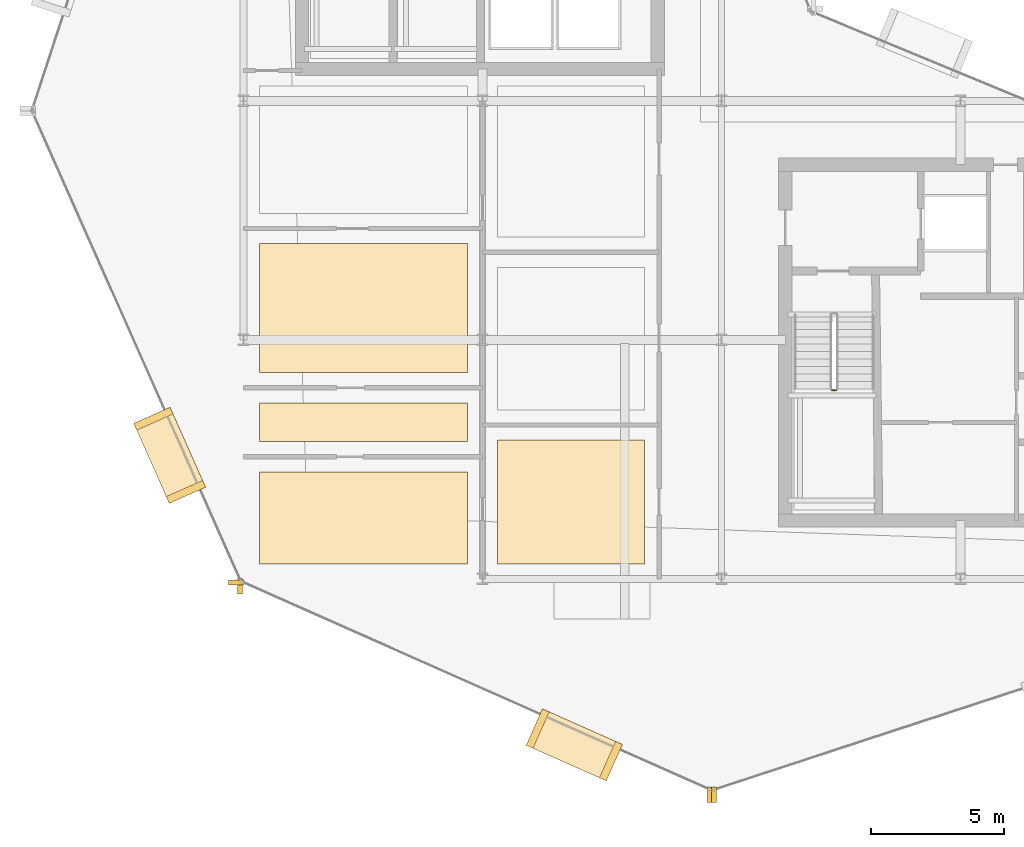
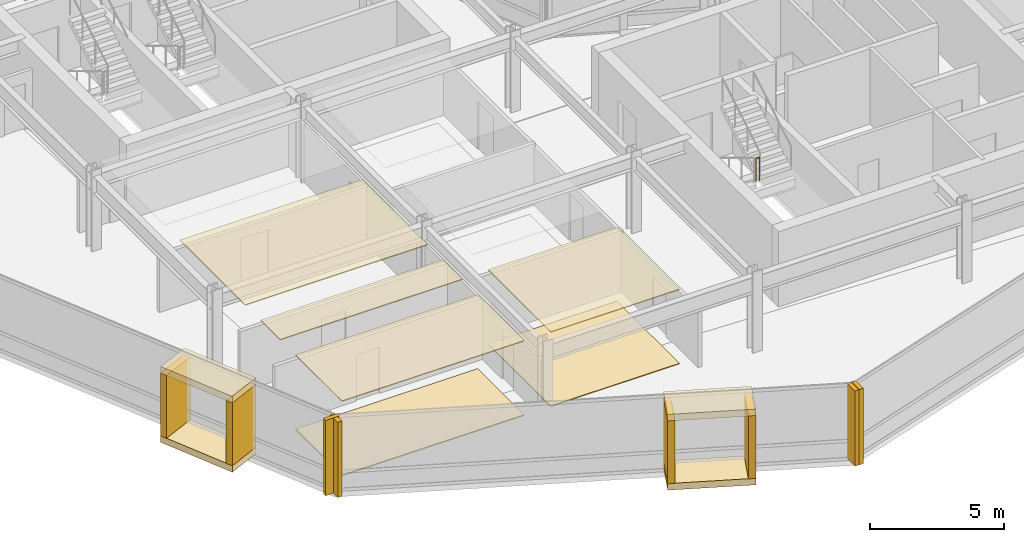
# One storey, part 25 of 29: 18 coverings, 1 railing.
"""IFC4 building model written with IfcOpenShell, lengths in metres."""

from ifc_helpers import new_model, si_unit, direction, frame, origin, origin_2d, place, context, subcontext, project, spatial, polyline, rectangle, circle, outline, extrude, material, layer, layer_set, type_object, element, save


model = new_model("IFC4")

# Units and contexts
model_context = context("Model", 3, precision=1e-05, world=origin(), true_north=direction((0.0, 1.0)))
body_context = subcontext(model_context, "Body", "Model", "MODEL_VIEW")
ifc_project = project(units=[si_unit("LENGTHUNIT", "METRE"), si_unit("AREAUNIT", "SQUARE_METRE"), si_unit("VOLUMEUNIT", "CUBIC_METRE"), si_unit("PLANEANGLEUNIT", "RADIAN"), si_unit("MASSUNIT", "GRAM", prefix="KILO")], contexts=[model_context])

# Site, building, storey
site_placement = place(None, origin())
site = spatial("IfcSite", under=ifc_project, at=site_placement, CompositionType="ELEMENT")
building_placement = place(site_placement, origin())
building = spatial("IfcBuilding", under=site, at=building_placement, Name="Solvaryn Broadcast Tower", CompositionType="ELEMENT")
storey_placement = place(building_placement, frame((0.0, 0.0, 161.800048828125)))
storey = spatial("IfcBuildingStorey", under=building, at=storey_placement, Name="L40", CompositionType="ELEMENT", Elevation=161.800048828125)

# Coverings
ifc_material_1 = material(Name="Micro-Perforated Acoustic Gypsum Ceiling", Category="concrete")
ifc_layer_1 = layer(ifc_material_1, 0.0400390625)
ifc_layer_set_1 = layer_set([ifc_layer_1], Name="CV-CEIL-ACOUSTIC")
covering_type_1 = type_object("IfcCoveringType", Name="CV-CEIL-ACOUSTIC", PredefinedType="CEILING", material=ifc_layer_set_1)
covering_1_placement = place(storey_placement, frame((0.0, 0.0, 3.3798828125)))
element("IfcCovering", 1, at=covering_1_placement, inside=storey, type_object=covering_type_1, Name="L40 Room Acoustic Ceiling 1", PredefinedType="CEILING", context=body_context, shape_type="SweptSolid", body=[
    extrude(outline(polyline([(18.570068359375, 9.570068359375), (24.10009765625, 9.570068359375), (24.10009765625, 14.22998046875), (18.570068359375, 14.22998046875), (18.570068359375, 9.570068359375)])), origin(), (0.0, 0.0, 1.0), 0.0400390625),
])
covering_2_placement = place(storey_placement, frame((0.0, 0.0, 3.3798828125)))
element("IfcCovering", 2, at=covering_2_placement, inside=storey, type_object=covering_type_1, Name="L40 Room Acoustic Ceiling 4", PredefinedType="CEILING", context=body_context, shape_type="SweptSolid", body=[
    extrude(outline(polyline([(9.60009765625, 9.570068359375), (17.429931640625, 9.570068359375), (17.429931640625, 13.030029296875), (9.60009765625, 13.030029296875), (9.60009765625, 9.570068359375)])), origin(), (0.0, 0.0, 1.0), 0.0400390625),
])
covering_3_placement = place(storey_placement, frame((0.0, 0.0, 3.3798828125)))
element("IfcCovering", 3, at=covering_3_placement, inside=storey, type_object=covering_type_1, Name="L40 Room Acoustic Ceiling 5", PredefinedType="CEILING", context=body_context, shape_type="SweptSolid", body=[
    extrude(outline(polyline([(9.60009765625, 14.169921875), (17.429931640625, 14.169921875), (17.429931640625, 15.6298828125), (9.60009765625, 15.6298828125), (9.60009765625, 14.169921875)])), origin(), (0.0, 0.0, 1.0), 0.0400390625),
])
covering_4_placement = place(storey_placement, frame((0.0, 0.0, 3.3798828125)))
element("IfcCovering", 4, at=covering_4_placement, inside=storey, type_object=covering_type_1, Name="L40 Room Acoustic Ceiling 6", PredefinedType="CEILING", context=body_context, shape_type="SweptSolid", body=[
    extrude(outline(polyline([(9.60009765625, 16.77001953125), (17.429931640625, 16.77001953125), (17.429931640625, 21.6298828125), (9.60009765625, 21.6298828125), (9.60009765625, 16.77001953125)])), origin(), (0.0, 0.0, 1.0), 0.0400390625),
])
ifc_material_2 = material(Name="Newsroom Raised Data Access Flooring", Category="steel")
ifc_layer_2 = layer(ifc_material_2, 0.050048828125)
ifc_layer_set_2 = layer_set([ifc_layer_2], Name="CV-FLOOR-RAISED")
covering_type_2 = type_object("IfcCoveringType", Name="CV-FLOOR-RAISED", PredefinedType="FLOORING", material=ifc_layer_set_2)
covering_5_placement = place(storey_placement, origin())
element("IfcCovering", 5, at=covering_5_placement, inside=storey, type_object=covering_type_2, Name="L40 Room Acoustic Floor Finish 1", PredefinedType="FLOORING", context=body_context, shape_type="SweptSolid", body=[
    extrude(outline(polyline([(18.570068359375, 9.570068359375), (24.10009765625, 9.570068359375), (24.10009765625, 14.22998046875), (18.570068359375, 14.22998046875), (18.570068359375, 9.570068359375)])), origin(), (0.0, 0.0, 1.0), 0.050048828125),
])
covering_6_placement = place(storey_placement, origin())
element("IfcCovering", 6, at=covering_6_placement, inside=storey, type_object=covering_type_2, Name="L40 Room Acoustic Floor Finish 4", PredefinedType="FLOORING", context=body_context, shape_type="SweptSolid", body=[
    extrude(outline(polyline([(9.60009765625, 9.570068359375), (17.429931640625, 9.570068359375), (17.429931640625, 13.030029296875), (9.60009765625, 13.030029296875), (9.60009765625, 9.570068359375)])), origin(), (0.0, 0.0, 1.0), 0.050048828125),
])
ifc_material_3 = material(Name="Glazed Architectural Terracotta Rainscreen Cladding", Category="masonry")
ifc_layer_3 = layer(ifc_material_3, 0.280029296875)
ifc_layer_set_3 = layer_set([ifc_layer_3], Name="CV-TC-CLAD")
covering_type_3 = type_object("IfcCoveringType", Name="CV-TC-CLAD", PredefinedType="CLADDING", material=ifc_layer_set_3)
for number, where, z_axis, x_axis, name in (
    (7, (6.218994140625, 13.656982421875, 3.1298828125), (0.0, 0.0, 1.0), (0.405939269498, -0.913900054426, 0.0), "L40 Projecting Stone Window Box Hood 2"),
    (8, (6.218994140625, 13.656982421875, -0.01025390625), (0.0, 0.0, 1.0), (0.405939269498, -0.913900054426, 0.0), "L40 Projecting Stone Window Box Sill 2"),
):
    element("IfcCovering", number, at=place(storey_placement, frame(where, z_axis=z_axis, x_axis=x_axis)), inside=storey, type_object=covering_type_3, Name=name, PredefinedType="CLADDING", context=body_context, shape_type="SweptSolid", body=[
        extrude(rectangle(XDim=3.300048828125, YDim=1.5, at=origin_2d()), origin(), (0.0, 0.0, 1.0), 0.300048828125),
    ])
for number, where, z_axis, x_axis, name in (
    (9, (5.60595703125, 15.037109375, 0.27978515625), (0.0, 0.0, 1.0), (0.405939269498, -0.913900054426, 0.0), "L40 Projecting Stone Window Box Cheek 2-1"),
    (10, (6.83203125, 12.277099609375, 0.27978515625), (0.0, 0.0, 1.0), (0.405939269498, -0.913900054426, 0.0), "L40 Projecting Stone Window Box Cheek 2-2"),
):
    element("IfcCovering", number, at=place(storey_placement, frame(where, z_axis=z_axis, x_axis=x_axis)), inside=storey, type_object=covering_type_3, Name=name, PredefinedType="CLADDING", context=body_context, shape_type="SweptSolid", body=[
        extrude(rectangle(XDim=0.280029296875, YDim=1.5, at=origin_2d()), origin(), (0.0, 0.0, 1.0), 2.860107421875),
    ])
for number, where, z_axis, x_axis, name in (
    (11, (21.45703125, 2.75390625, 3.1298828125), (0.0, 0.0, 1.0), (0.913900054426, -0.405939269498, 0.0), "L40 Projecting Stone Window Box Hood 3"),
    (12, (21.45703125, 2.75390625, -0.01025390625), (0.0, 0.0, 1.0), (0.913900054426, -0.405939269498, 0.0), "L40 Projecting Stone Window Box Sill 3"),
):
    element("IfcCovering", number, at=place(storey_placement, frame(where, z_axis=z_axis, x_axis=x_axis)), inside=storey, type_object=covering_type_3, Name=name, PredefinedType="CLADDING", context=body_context, shape_type="SweptSolid", body=[
        extrude(rectangle(XDim=3.300048828125, YDim=1.5, at=origin_2d()), origin(), (0.0, 0.0, 1.0), 0.300048828125),
    ])
for number, where, z_axis, x_axis, name in (
    (13, (20.076904296875, 3.366943359375, 0.27978515625), (0.0, 0.0, 1.0), (0.913900054426, -0.405939269498, 0.0), "L40 Projecting Stone Window Box Cheek 3-1"),
    (14, (22.8369140625, 2.14111328125, 0.27978515625), (0.0, 0.0, 1.0), (0.913900054426, -0.405939269498, 0.0), "L40 Projecting Stone Window Box Cheek 3-2"),
):
    element("IfcCovering", number, at=place(storey_placement, frame(where, z_axis=z_axis, x_axis=x_axis)), inside=storey, type_object=covering_type_3, Name=name, PredefinedType="CLADDING", context=body_context, shape_type="SweptSolid", body=[
        extrude(rectangle(XDim=0.280029296875, YDim=1.5, at=origin_2d()), origin(), (0.0, 0.0, 1.0), 2.860107421875),
    ])
ifc_material_4 = material(Name="Extruded Architectural Terracotta Fin", Category="masonry")
ifc_layer_4 = layer(ifc_material_4, 0.179931640625)
ifc_layer_set_4 = layer_set([ifc_layer_4], Name="CV-TC-FIN")
covering_type_4 = type_object("IfcCoveringType", Name="CV-TC-FIN", PredefinedType="USERDEFINED", material=ifc_layer_set_4)
covering_7_placement = place(storey_placement, frame((8.731689453125, 8.86279296875, 0.0), z_axis=(0.0, 0.0, 1.0), x_axis=(1.0, 0.0, 0.0)))
element("IfcCovering", 15, at=covering_7_placement, inside=storey, type_object=covering_type_4, Name="L40 Terracotta Vertical Fin FIN-L40-DR2-M01", ObjectType="FIN", PredefinedType="USERDEFINED", context=body_context, shape_type="SweptSolid", body=[
    extrude(rectangle(XDim=0.580078125, YDim=0.179931640625, at=origin_2d()), origin(), (0.0, 0.0, 1.0), 3.419921875),
])
for number, where, z_axis, x_axis, name in (
    (16, (8.86279296875, 8.731689453125, 0.0), (0.0, 0.0, 1.0), (1.0, 0.0, 0.0), "L40 Terracotta Vertical Fin FIN-L40-DR3-M00"),
    (17, (26.535888671875, 0.8818359375, 0.0), (0.0, 0.0, 1.0), (1.0, 0.0, 0.0), "L40 Terracotta Vertical Fin FIN-L40-DR3-M01"),
    (18, (26.720703125, 0.872314453125, 0.0), (0.0, 0.0, 1.0), (1.0, 0.0, 0.0), "L40 Terracotta Vertical Fin FIN-L40-DR4-M00"),
):
    element("IfcCovering", number, at=place(storey_placement, frame(where, z_axis=z_axis, x_axis=x_axis)), inside=storey, type_object=covering_type_4, Name=name, ObjectType="FIN", PredefinedType="USERDEFINED", context=body_context, shape_type="SweptSolid", body=[
        extrude(rectangle(XDim=0.179931640625, YDim=0.580078125, at=origin_2d()), origin(), (0.0, 0.0, 1.0), 3.419921875),
    ])

# Railing
ifc_material_5 = material(Name="Painted Steel Stair Well Guard", Category="steel")
railing_type = type_object("IfcRailingType", Name="RL-STAIR-GUARD", PredefinedType="BALUSTRADE", material=ifc_material_5)
railing_placement = place(storey_placement, frame((31.159912109375, 16.110107421875, 1.849853515625)))
element("IfcRailing", 19, at=railing_placement, inside=storey, type_object=railing_type, Name="L40 ST3 stair guard 2", PredefinedType="BALUSTRADE", context=body_context, shape_type="SweptSolid", body=[
    extrude(circle(Radius=0.02392578125, at=origin_2d()), frame((0.0, 0.0, 1.076171875), z_axis=(1.0, 0.0, 0.0), x_axis=(0.0, 1.0, 0.0)), (0.0, 0.0, 1.0), 0.150146484375),
    extrude(circle(Radius=0.02099609375, at=origin_2d()), origin(), (0.0, 0.0, 1.0), 1.052001953125),
    extrude(circle(Radius=0.02099609375, at=origin_2d()), frame((0.150146484375, 0.0, 0.0)), (0.0, 0.0, 1.0), 1.052001953125),
])

save(model, "model.ifc")
